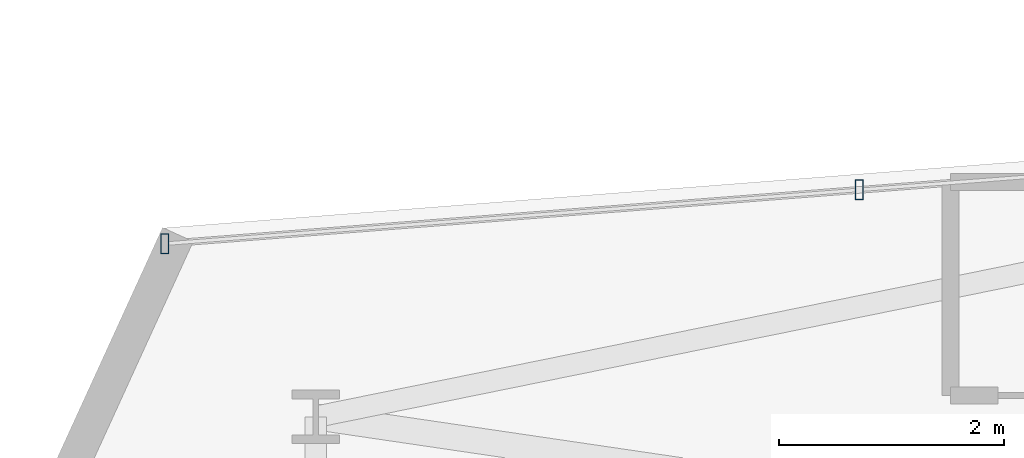
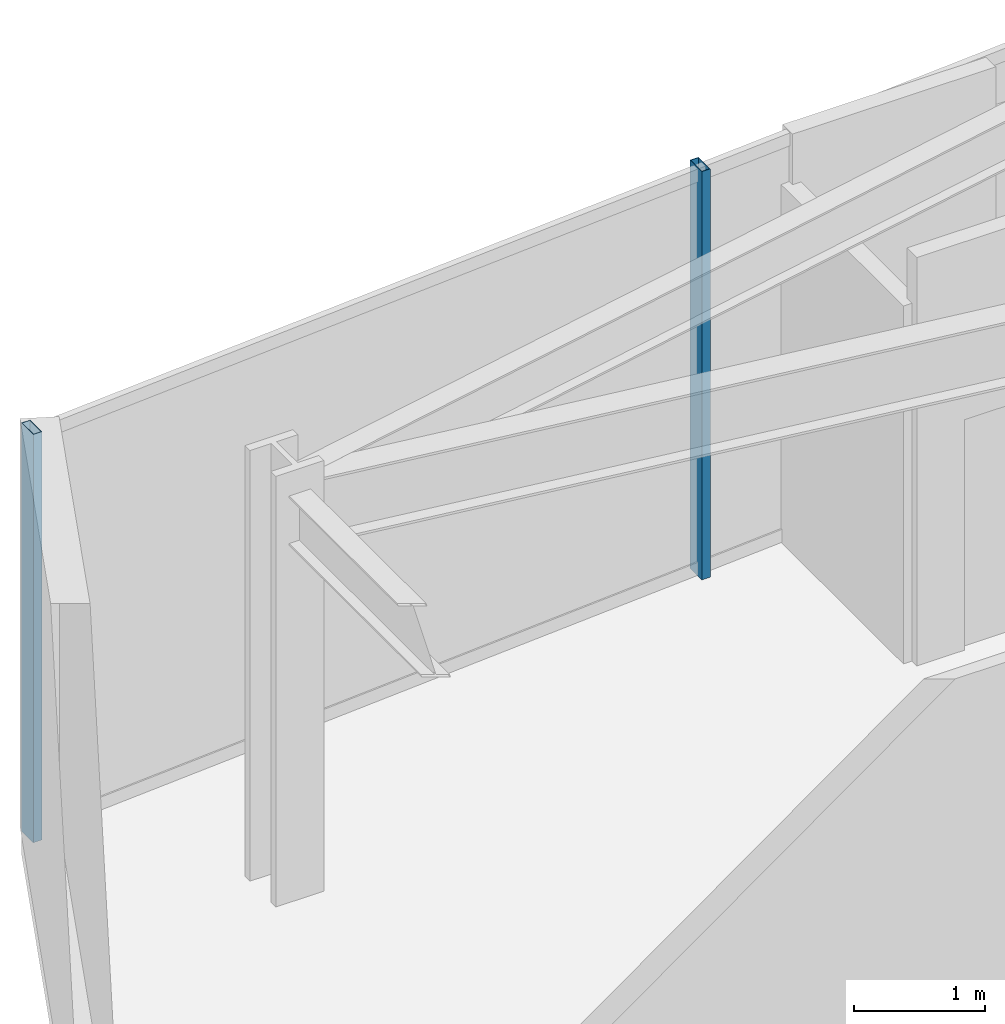
# One storey, part 8 of 30: 2 members, 1 element without a shape of its own.
"""IFC4 building model written with IfcOpenShell, lengths in metres."""

from ifc_helpers import new_model, si_unit, direction, frame, origin, origin_2d, place, context, subcontext, project, spatial, hollow_rectangle, extrude, material, layer, layer_set, material_profile, profile_set, type_object, element, aggregate, save


model = new_model("IFC4")

# Units and contexts
model_context = context("Model", 3, precision=1e-05, world=origin(), true_north=direction((0.0, 1.0)))
body_context = subcontext(model_context, "Body", "Model", "MODEL_VIEW")
ifc_project = project(units=[si_unit("LENGTHUNIT", "METRE"), si_unit("AREAUNIT", "SQUARE_METRE"), si_unit("VOLUMEUNIT", "CUBIC_METRE"), si_unit("PLANEANGLEUNIT", "RADIAN"), si_unit("MASSUNIT", "GRAM", prefix="KILO")], contexts=[model_context])

# Site, building, storey
site_placement = place(None, origin())
site = spatial("IfcSite", under=ifc_project, at=site_placement, CompositionType="ELEMENT")
building_placement = place(site_placement, origin())
building = spatial("IfcBuilding", under=site, at=building_placement, Name="Veymaron Broadcast Tower", CompositionType="ELEMENT")
storey_placement = place(building_placement, frame((0.0, 0.0, 54.0)))
storey = spatial("IfcBuildingStorey", under=building, at=storey_placement, Name="L11", CompositionType="ELEMENT", Elevation=54.0)

# Curtain wall, members
ifc_material_1 = material(Name="Anodised aluminium AA 6063-T6 and laminated low-E dark glass", Category="aluminium")
ifc_layer = layer(ifc_material_1, 0.179931640625)
ifc_layer_set = layer_set([ifc_layer], Name="Anodised aluminium AA 6063-T6 and laminated low-E dark glass")
curtain_wall_type = type_object("IfcCurtainWallType", Name="CW-SYS-02", PredefinedType="NOTDEFINED", material=ifc_layer_set)
curtain_wall_placement = place(storey_placement, origin())
curtain_wall = element("IfcCurtainWall", 1, at=curtain_wall_placement, inside=storey, type_object=curtain_wall_type, Name="L11 dark-glass curtain wall CW-L11-E11-1", PredefinedType="NOTDEFINED")
ifc_material_2 = material(Name="Anodised aluminium AA 6063-T6", Category="aluminium")
ifc_material_profile = material_profile(ifc_material_2, hollow_rectangle(XDim=0.074951171875, YDim=0.179931640625, WallThickness=0.0048828125, at=origin_2d()), Name="AL180X75X5")
ifc_profile_set = profile_set([ifc_material_profile], Name="Anodised aluminium AA 6063-T6")
member_type = type_object("IfcMemberType", Name="CW-MUL-02", PredefinedType="MULLION", material=ifc_profile_set)
member_1_placement = place(storey_placement, frame((13.186767578125, 29.37890625, 0.0), z_axis=(0.0, 0.0, 1.0), x_axis=(1.0, 0.0, 0.0)))
member_1 = element("IfcMember", 2, at=member_1_placement, type_object=member_type, Name="CW-L11-E11-1 mullion 2", PredefinedType="MULLION", context=body_context, shape_type="SweptSolid", body=[
    extrude(hollow_rectangle(XDim=0.074951171875, YDim=0.179931640625, WallThickness=0.0048828125, at=origin_2d()), origin(), (0.0, 0.0, 1.0), 3.81005859375),
])
member_2_placement = place(storey_placement, frame((7.0107421875, 28.900146484375, 0.0), z_axis=(0.0, 0.0, 1.0), x_axis=(1.0, 0.0, 0.0)))
member_2 = element("IfcMember", 3, at=member_2_placement, type_object=member_type, Name="CW-L11-E11-1 mullion 3", PredefinedType="MULLION", context=body_context, shape_type="SweptSolid", body=[
    extrude(hollow_rectangle(XDim=0.074951171875, YDim=0.179931640625, WallThickness=0.0048828125, at=origin_2d()), origin(), (0.0, 0.0, 1.0), 3.81005859375),
])
aggregate(curtain_wall, [member_1, member_2])

save(model, "model.ifc")
